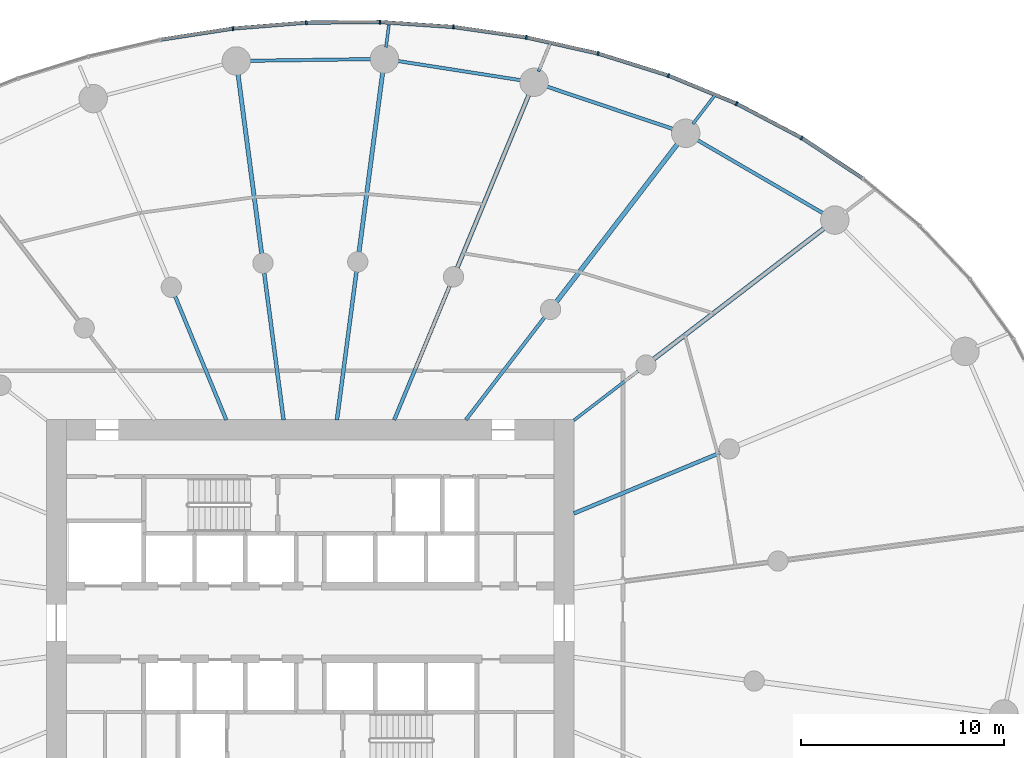
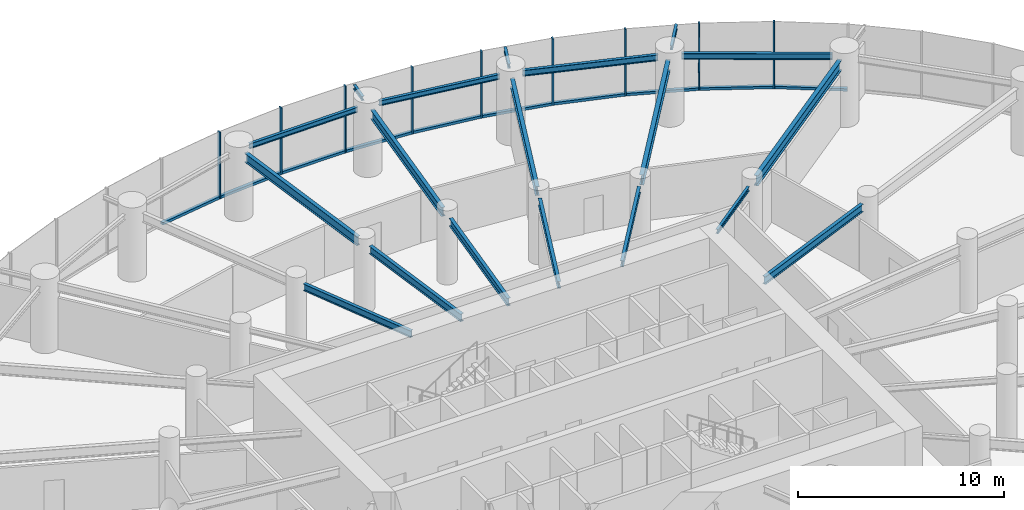
# One storey, part 7 of 17: 19 beams, 19 members, 2 elements without a shape of their own.
"""IFC4 building model written with IfcOpenShell, lengths in metres."""

from ifc_helpers import new_model, si_unit, direction, frame, origin, origin_2d, place, context, subcontext, project, spatial, rectangle, i_section, extrude, source, transform, mapped, material, layer, layer_set, material_profile, profile_set, type_object, element, aggregate, save


model = new_model("IFC4")

# Units and contexts
model_context = context("Model", 3, precision=1e-05, world=origin(), true_north=direction((0.0, 1.0)))
body_context = subcontext(model_context, "Body", "Model", "MODEL_VIEW")
ifc_project = project(units=[si_unit("LENGTHUNIT", "METRE"), si_unit("AREAUNIT", "SQUARE_METRE"), si_unit("VOLUMEUNIT", "CUBIC_METRE"), si_unit("PLANEANGLEUNIT", "RADIAN"), si_unit("MASSUNIT", "GRAM", prefix="KILO")], contexts=[model_context])

# Site, building, storey
site_placement = place(None, origin())
site = spatial("IfcSite", under=ifc_project, at=site_placement, CompositionType="ELEMENT")
building_placement = place(site_placement, origin())
building = spatial("IfcBuilding", under=site, at=building_placement, Name="Spindrift Exchange Tower", CompositionType="ELEMENT")
storey_placement = place(building_placement, frame((0.0, 0.0, 35.800048828125)))
storey = spatial("IfcBuildingStorey", under=building, at=storey_placement, Name="L08", CompositionType="ELEMENT", Elevation=35.800048828125)

# Beams
ifc_material_1 = material(Name="Steel Grade 300", Category="steel")
ifc_material_profile_1 = material_profile(ifc_material_1, i_section(OverallWidth=0.18994140625, OverallDepth=0.45703125, WebThickness=0.009033203125, FlangeThickness=0.014404296875, FilletRadius=0.013916015625, at=origin_2d()), Name="460UB74.6")
ifc_profile_set_1 = profile_set([ifc_material_profile_1], Name="Steel Grade 300")
beam_type_1 = type_object("IfcBeamType", Name="Floor Beam 460UB74.6 Steel Grade 300", PredefinedType="BEAM", material=ifc_profile_set_1)
shared_shape_1 = source(origin(), body_context, "Body", "SweptSolid", [
    extrude(i_section(OverallWidth=0.18994140625, OverallDepth=0.45703125, WebThickness=0.009033203125, FlangeThickness=0.014404296875, FilletRadius=0.013916015625, at=origin_2d()), origin(), (0.0, 0.0, 1.0), 7.808837890625),
])
beam_1_placement = place(storey_placement, frame((64.9814453125, 53.377197265625, 3.721435546875), z_axis=(0.92387965154, 0.382683145003, 0.0), x_axis=(-0.382683145003, 0.92387965154, 0.0)))
element("IfcBeam", 1, at=beam_1_placement, inside=storey, type_object=beam_type_1, Name="L08 radial beam R02A", PredefinedType="BEAM", context=body_context, shape_type="MappedRepresentation", body=[
    mapped(shared_shape_1, transform((0.0, 0.0, 0.0), scale=1.0)),
])
ifc_material_profile_2 = material_profile(ifc_material_1, i_section(OverallWidth=0.14599609375, OverallDepth=0.251953125, WebThickness=0.006103515625, FlangeThickness=0.008544921875, FilletRadius=0.011962890625, at=origin_2d()), Name="250UB31.4")
ifc_profile_set_2 = profile_set([ifc_material_profile_2], Name="Steel Grade 300")
beam_type_2 = type_object("IfcBeamType", Name="Floor Beam 250UB31.4 Steel Grade 300", PredefinedType="BEAM", material=ifc_profile_set_2)
shared_shape_2 = source(origin(), body_context, "Body", "SweptSolid", [
    extrude(i_section(OverallWidth=0.14599609375, OverallDepth=0.251953125, WebThickness=0.006103515625, FlangeThickness=0.008544921875, FilletRadius=0.011962890625, at=origin_2d()), origin(), (0.0, 0.0, 1.0), 3.99560546875),
])
beam_2_placement = place(storey_placement, frame((64.984130859375, 57.963134765625, 3.823974609375), z_axis=(0.793352561574, 0.608762443851, 0.0), x_axis=(-0.608762443851, 0.793352561574, 0.0)))
element("IfcBeam", 2, at=beam_2_placement, inside=storey, type_object=beam_type_2, Name="L08 radial beam R03A", PredefinedType="BEAM", context=body_context, shape_type="MappedRepresentation", body=[
    mapped(shared_shape_2, transform((0.0, 0.0, 0.0), scale=1.0)),
])
ifc_material_profile_3 = material_profile(ifc_material_1, i_section(OverallWidth=0.22802734375, OverallDepth=0.60693359375, WebThickness=0.01123046875, FlangeThickness=0.017333984375, FilletRadius=0.013916015625, at=origin_2d()), Name="610UB113")
ifc_profile_set_3 = profile_set([ifc_material_profile_3], Name="Steel Grade 300")
beam_type_3 = type_object("IfcBeamType", Name="Floor Beam 610UB113 Steel Grade 300", PredefinedType="BEAM", material=ifc_profile_set_3)
shared_shape_3 = source(origin(), body_context, "Body", "SweptSolid", [
    extrude(i_section(OverallWidth=0.22802734375, OverallDepth=0.60693359375, WebThickness=0.01123046875, FlangeThickness=0.017333984375, FilletRadius=0.013916015625, at=origin_2d()), origin(), (0.0, 0.0, 1.0), 10.66357421875),
])
beam_3_placement = place(storey_placement, frame((68.91552734375, 60.979736328125, 3.646484375), z_axis=(0.793357926757, 0.608755451764, 0.0), x_axis=(-0.608755451764, 0.793357926757, 0.0)))
element("IfcBeam", 3, at=beam_3_placement, inside=storey, type_object=beam_type_3, Name="L08 radial beam R03B", PredefinedType="BEAM", context=body_context, shape_type="MappedRepresentation", body=[
    mapped(shared_shape_3, transform((0.0, 0.0, 0.0), scale=1.0)),
])
ifc_material_profile_4 = material_profile(ifc_material_1, i_section(OverallWidth=0.172119140625, OverallDepth=0.35888671875, WebThickness=0.008056640625, FlangeThickness=0.012939453125, FilletRadius=0.013916015625, at=origin_2d()), Name="360UB56.7")
ifc_profile_set_4 = profile_set([ifc_material_profile_4], Name="Steel Grade 300")
beam_type_4 = type_object("IfcBeamType", Name="Floor Beam 360UB56.7 Steel Grade 300", PredefinedType="BEAM", material=ifc_profile_set_4)
shared_shape_4 = source(origin(), body_context, "Body", "SweptSolid", [
    extrude(i_section(OverallWidth=0.172119140625, OverallDepth=0.35888671875, WebThickness=0.008056640625, FlangeThickness=0.012939453125, FilletRadius=0.013916015625, at=origin_2d()), origin(), (0.0, 0.0, 1.0), 6.37646484375),
])
beam_4_placement = place(storey_placement, frame((59.6611328125, 57.984130859375, 3.7705078125), z_axis=(0.608766669952, 0.793349318747, 0.0), x_axis=(-0.793349318747, 0.608766669952, 0.0)))
element("IfcBeam", 4, at=beam_4_placement, inside=storey, type_object=beam_type_4, Name="L08 radial beam R04A", PredefinedType="BEAM", context=body_context, shape_type="MappedRepresentation", body=[
    mapped(shared_shape_4, transform((0.0, 0.0, 0.0), scale=1.0)),
])
shared_shape_5 = source(origin(), body_context, "Body", "SweptSolid", [
    extrude(i_section(OverallWidth=0.22802734375, OverallDepth=0.60693359375, WebThickness=0.01123046875, FlangeThickness=0.017333984375, FilletRadius=0.013916015625, at=origin_2d()), origin(), (0.0, 0.0, 1.0), 9.87548828125),
])
beam_5_placement = place(storey_placement, frame((64.127197265625, 63.8046875, 3.646484375), z_axis=(0.608772470836, 0.793344867477, 0.0), x_axis=(-0.793344867477, 0.608772470836, 0.0)))
element("IfcBeam", 5, at=beam_5_placement, inside=storey, type_object=beam_type_3, Name="L08 radial beam R04B", PredefinedType="BEAM", context=body_context, shape_type="MappedRepresentation", body=[
    mapped(shared_shape_5, transform((0.0, 0.0, 0.0), scale=1.0)),
])
ifc_material_profile_5 = material_profile(ifc_material_1, i_section(OverallWidth=0.177978515625, OverallDepth=0.406005859375, WebThickness=0.0078125, FlangeThickness=0.0126953125, FilletRadius=0.013916015625, at=origin_2d()), Name="410UB59.7")
ifc_profile_set_5 = profile_set([ifc_material_profile_5], Name="Steel Grade 300")
beam_type_5 = type_object("IfcBeamType", Name="Floor Beam 410UB59.7 Steel Grade 300", PredefinedType="BEAM", material=ifc_profile_set_5)
shared_shape_6 = source(origin(), body_context, "Body", "SweptSolid", [
    extrude(i_section(OverallWidth=0.177978515625, OverallDepth=0.406005859375, WebThickness=0.0078125, FlangeThickness=0.0126953125, FilletRadius=0.013916015625, at=origin_2d()), origin(), (0.0, 0.0, 1.0), 7.150634765625),
])
beam_6_placement = place(storey_placement, frame((56.134521484375, 57.9814453125, 3.7470703125), z_axis=(0.382665393358, 0.923887004306, 0.0), x_axis=(-0.923887004306, 0.382665393358, 0.0)))
element("IfcBeam", 6, at=beam_6_placement, inside=storey, type_object=beam_type_5, Name="L08 radial beam R05A", PredefinedType="BEAM", context=body_context, shape_type="MappedRepresentation", body=[
    mapped(shared_shape_6, transform((0.0, 0.0, 0.0), scale=1.0)),
])
ifc_material_profile_6 = material_profile(ifc_material_1, i_section(OverallWidth=0.208984375, OverallDepth=0.532958984375, WebThickness=0.01025390625, FlangeThickness=0.015625, FilletRadius=0.013916015625, at=origin_2d()), Name="530UB92.4")
ifc_profile_set_6 = profile_set([ifc_material_profile_6], Name="Steel Grade 300")
beam_type_6 = type_object("IfcBeamType", Name="Floor Beam 530UB92.4 Steel Grade 300", PredefinedType="BEAM", material=ifc_profile_set_6)
shared_shape_7 = source(origin(), body_context, "Body", "SweptSolid", [
    extrude(i_section(OverallWidth=0.208984375, OverallDepth=0.532958984375, WebThickness=0.01025390625, FlangeThickness=0.015625, FilletRadius=0.013916015625, at=origin_2d()), origin(), (0.0, 0.0, 1.0), 9.309326171875),
])
beam_7_placement = place(storey_placement, frame((59.23828125, 65.474853515625, 3.683349609375), z_axis=(0.382685326691, 0.923878747853, 0.0), x_axis=(-0.923878747853, 0.382685326691, 0.0)))
element("IfcBeam", 7, at=beam_7_placement, inside=storey, type_object=beam_type_6, Name="L08 radial beam R05B", PredefinedType="BEAM", context=body_context, shape_type="MappedRepresentation", body=[
    mapped(shared_shape_7, transform((0.0, 0.0, 0.0), scale=1.0)),
])
shared_shape_8 = source(origin(), body_context, "Body", "SweptSolid", [
    extrude(i_section(OverallWidth=0.18994140625, OverallDepth=0.45703125, WebThickness=0.009033203125, FlangeThickness=0.014404296875, FilletRadius=0.013916015625, at=origin_2d()), origin(), (0.0, 0.0, 1.0), 7.374267578125),
])
beam_8_placement = place(storey_placement, frame((53.31396484375, 57.980224609375, 3.721435546875), z_axis=(0.130539295622, 0.99144313619, 0.0), x_axis=(-0.99144313619, 0.130539295622, 0.0)))
element("IfcBeam", 8, at=beam_8_placement, inside=storey, type_object=beam_type_1, Name="L08 radial beam R06A", PredefinedType="BEAM", context=body_context, shape_type="MappedRepresentation", body=[
    mapped(shared_shape_8, transform((0.0, 0.0, 0.0), scale=1.0)),
])
shared_shape_9 = source(origin(), body_context, "Body", "SweptSolid", [
    extrude(i_section(OverallWidth=0.208984375, OverallDepth=0.532958984375, WebThickness=0.01025390625, FlangeThickness=0.015625, FilletRadius=0.013916015625, at=origin_2d()), origin(), (0.0, 0.0, 1.0), 9.020263671875),
])
beam_9_placement = place(storey_placement, frame((54.40185546875, 66.2431640625, 3.683349609375), z_axis=(0.13051122338, 0.991446831944, 0.0), x_axis=(-0.991446831944, 0.13051122338, 0.0)))
element("IfcBeam", 9, at=beam_9_placement, inside=storey, type_object=beam_type_6, Name="L08 radial beam R06B", PredefinedType="BEAM", context=body_context, shape_type="MappedRepresentation", body=[
    mapped(shared_shape_9, transform((0.0, 0.0, 0.0), scale=1.0)),
])
shared_shape_10 = source(origin(), body_context, "Body", "SweptSolid", [
    extrude(i_section(OverallWidth=0.18994140625, OverallDepth=0.45703125, WebThickness=0.009033203125, FlangeThickness=0.014404296875, FilletRadius=0.013916015625, at=origin_2d()), origin(), (0.0, 0.0, 1.0), 7.3095703125),
])
beam_10_placement = place(storey_placement, frame((50.68603515625, 57.980224609375, 3.721435546875), z_axis=(-0.130527087244, 0.991444743541, 0.0), x_axis=(-0.991444743541, -0.130527087244, 0.0)))
element("IfcBeam", 10, at=beam_10_placement, inside=storey, type_object=beam_type_1, Name="L08 radial beam R07A", PredefinedType="BEAM", context=body_context, shape_type="MappedRepresentation", body=[
    mapped(shared_shape_10, transform((0.0, 0.0, 0.0), scale=1.0)),
])
shared_shape_11 = source(origin(), body_context, "Body", "SweptSolid", [
    extrude(i_section(OverallWidth=0.208984375, OverallDepth=0.532958984375, WebThickness=0.01025390625, FlangeThickness=0.015625, FilletRadius=0.013916015625, at=origin_2d()), origin(), (0.0, 0.0, 1.0), 8.98388671875),
])
beam_11_placement = place(storey_placement, frame((49.606689453125, 66.17919921875, 3.683349609375), z_axis=(-0.130524106785, 0.991445135924, 0.0), x_axis=(-0.991445135924, -0.130524106785, 0.0)))
element("IfcBeam", 11, at=beam_11_placement, inside=storey, type_object=beam_type_6, Name="L08 radial beam R07B", PredefinedType="BEAM", context=body_context, shape_type="MappedRepresentation", body=[
    mapped(shared_shape_11, transform((0.0, 0.0, 0.0), scale=1.0)),
])
shared_shape_12 = source(origin(), body_context, "Body", "SweptSolid", [
    extrude(i_section(OverallWidth=0.177978515625, OverallDepth=0.406005859375, WebThickness=0.0078125, FlangeThickness=0.0126953125, FilletRadius=0.013916015625, at=origin_2d()), origin(), (0.0, 0.0, 1.0), 6.594482421875),
])
beam_12_placement = place(storey_placement, frame((47.865478515625, 57.9814453125, 3.7470703125), z_axis=(-0.382692929746, 0.92387559851, 0.0), x_axis=(-0.92387559851, -0.382692929746, 0.0)))
element("IfcBeam", 12, at=beam_12_placement, inside=storey, type_object=beam_type_5, Name="L08 radial beam R08A", PredefinedType="BEAM", context=body_context, shape_type="MappedRepresentation", body=[
    mapped(shared_shape_12, transform((0.0, 0.0, 0.0), scale=1.0)),
])
ifc_material_profile_7 = material_profile(ifc_material_1, i_section(OverallWidth=0.172119140625, OverallDepth=0.35888671875, WebThickness=0.008056640625, FlangeThickness=0.012939453125, FilletRadius=0.013916015625, at=origin_2d()), Name="360UB56.7")
ifc_profile_set_7 = profile_set([ifc_material_profile_7], Name="Steel Grade 300")
beam_type_7 = type_object("IfcBeamType", Name="Edge Beam 360UB56.7 Steel Grade 300", PredefinedType="SPANDREL", material=ifc_profile_set_7)
shared_shape_13 = source(origin(), body_context, "Body", "SweptSolid", [
    extrude(i_section(OverallWidth=0.172119140625, OverallDepth=0.35888671875, WebThickness=0.008056640625, FlangeThickness=0.012939453125, FilletRadius=0.013916015625, at=origin_2d()), origin(), (0.0, 0.0, 1.0), 7.33740234375),
])
beam_13_placement = place(storey_placement, frame((77.33447265625, 68.1162109375, 3.7705078125), z_axis=(-0.864211826308, 0.503128134047, 0.0), x_axis=(-0.503128134047, -0.864211826308, 0.0)))
element("IfcBeam", 13, at=beam_13_placement, inside=storey, type_object=beam_type_7, Name="L08 edge beam E03", PredefinedType="SPANDREL", context=body_context, shape_type="MappedRepresentation", body=[
    mapped(shared_shape_13, transform((0.0, 0.0, 0.0), scale=1.0)),
])
shared_shape_14 = source(origin(), body_context, "Body", "SweptSolid", [
    extrude(i_section(OverallWidth=0.172119140625, OverallDepth=0.35888671875, WebThickness=0.008056640625, FlangeThickness=0.012939453125, FilletRadius=0.013916015625, at=origin_2d()), origin(), (0.0, 0.0, 1.0), 6.72021484375),
])
beam_14_placement = place(storey_placement, frame((69.9423828125, 72.28466796875, 3.7705078125), z_axis=(-0.947851749681, 0.318711563372, 0.0), x_axis=(-0.318711563372, -0.947851749681, 0.0)))
element("IfcBeam", 14, at=beam_14_placement, inside=storey, type_object=beam_type_7, Name="L08 edge beam E04", PredefinedType="SPANDREL", context=body_context, shape_type="MappedRepresentation", body=[
    mapped(shared_shape_14, transform((0.0, 0.0, 0.0), scale=1.0)),
])
ifc_material_profile_8 = material_profile(ifc_material_1, i_section(OverallWidth=0.1650390625, OverallDepth=0.303955078125, WebThickness=0.006103515625, FlangeThickness=0.01025390625, FilletRadius=0.011474609375, at=origin_2d()), Name="310UB40.4")
ifc_profile_set_8 = profile_set([ifc_material_profile_8], Name="Steel Grade 300")
beam_type_8 = type_object("IfcBeamType", Name="Edge Beam 310UB40.4 Steel Grade 300", PredefinedType="SPANDREL", material=ifc_profile_set_8)
shared_shape_15 = source(origin(), body_context, "Body", "SweptSolid", [
    extrude(i_section(OverallWidth=0.1650390625, OverallDepth=0.303955078125, WebThickness=0.006103515625, FlangeThickness=0.01025390625, FilletRadius=0.011474609375, at=origin_2d()), origin(), (0.0, 0.0, 1.0), 6.297119140625),
])
beam_15_placement = place(storey_placement, frame((62.44970703125, 74.70068359375, 3.7978515625), z_axis=(-0.98802902915, 0.154268070436, 0.0), x_axis=(-0.154268070436, -0.98802902915, 0.0)))
element("IfcBeam", 15, at=beam_15_placement, inside=storey, type_object=beam_type_8, Name="L08 edge beam E05", PredefinedType="SPANDREL", context=body_context, shape_type="MappedRepresentation", body=[
    mapped(shared_shape_15, transform((0.0, 0.0, 0.0), scale=1.0)),
])
shared_shape_16 = source(origin(), body_context, "Body", "SweptSolid", [
    extrude(i_section(OverallWidth=0.1650390625, OverallDepth=0.303955078125, WebThickness=0.006103515625, FlangeThickness=0.01025390625, FilletRadius=0.011474609375, at=origin_2d()), origin(), (0.0, 0.0, 1.0), 6.13720703125),
])
beam_16_placement = place(storey_placement, frame((55.074951171875, 75.75341796875, 3.7978515625), z_axis=(-0.999905820907, -0.013724041543, 0.0), x_axis=(0.013724041543, -0.999905820907, 0.0)))
element("IfcBeam", 16, at=beam_16_placement, inside=storey, type_object=beam_type_8, Name="L08 edge beam E06", PredefinedType="SPANDREL", context=body_context, shape_type="MappedRepresentation", body=[
    mapped(shared_shape_16, transform((0.0, 0.0, 0.0), scale=1.0)),
])
ifc_material_profile_9 = material_profile(ifc_material_1, i_section(OverallWidth=0.14599609375, OverallDepth=0.251953125, WebThickness=0.006103515625, FlangeThickness=0.008544921875, FilletRadius=0.011962890625, at=origin_2d()), Name="250UB31.4")
ifc_profile_set_9 = profile_set([ifc_material_profile_9], Name="Steel Grade 300")
beam_type_9 = type_object("IfcBeamType", Name="Cantilever Beam 250UB31.4 Steel Grade 300", PredefinedType="BEAM", material=ifc_profile_set_9)
shared_shape_17 = source(origin(), body_context, "Body", "SweptSolid", [
    extrude(i_section(OverallWidth=0.14599609375, OverallDepth=0.251953125, WebThickness=0.006103515625, FlangeThickness=0.008544921875, FilletRadius=0.011962890625, at=origin_2d()), origin(), (0.0, 0.0, 1.0), 1.88427734375),
])
beam_17_placement = place(storey_placement, frame((70.845458984375, 72.559814453125, 3.823974609375), z_axis=(0.608733443446, 0.793374813585, 0.0), x_axis=(-0.793374813585, 0.608733443446, 0.0)))
element("IfcBeam", 17, at=beam_17_placement, inside=storey, type_object=beam_type_9, Name="L08 cantilever beam R04T", PredefinedType="BEAM", context=body_context, shape_type="MappedRepresentation", body=[
    mapped(shared_shape_17, transform((0.0, 0.0, 0.0), scale=1.0)),
])
shared_shape_18 = source(origin(), body_context, "Body", "SweptSolid", [
    extrude(i_section(OverallWidth=0.14599609375, OverallDepth=0.251953125, WebThickness=0.006103515625, FlangeThickness=0.008544921875, FilletRadius=0.011962890625, at=origin_2d()), origin(), (0.0, 0.0, 1.0), 1.519775390625),
])
beam_18_placement = place(storey_placement, frame((63.244873046875, 75.147216796875, 3.823974609375), z_axis=(0.382663933945, 0.92388760878, 0.0), x_axis=(-0.92388760878, 0.382663933945, 0.0)))
element("IfcBeam", 18, at=beam_18_placement, inside=storey, type_object=beam_type_9, Name="L08 cantilever beam R05T", PredefinedType="BEAM", context=body_context, shape_type="MappedRepresentation", body=[
    mapped(shared_shape_18, transform((0.0, 0.0, 0.0), scale=1.0)),
])
shared_shape_19 = source(origin(), body_context, "Body", "SweptSolid", [
    extrude(i_section(OverallWidth=0.14599609375, OverallDepth=0.251953125, WebThickness=0.006103515625, FlangeThickness=0.008544921875, FilletRadius=0.011962890625, at=origin_2d()), origin(), (0.0, 0.0, 1.0), 1.10205078125),
])
beam_19_placement = place(storey_placement, frame((55.730712890625, 76.33642578125, 3.823974609375), z_axis=(0.130494630272, 0.991449016072, 0.0), x_axis=(-0.991449016072, 0.130494630272, 0.0)))
element("IfcBeam", 19, at=beam_19_placement, inside=storey, type_object=beam_type_9, Name="L08 cantilever beam R06T", PredefinedType="BEAM", context=body_context, shape_type="MappedRepresentation", body=[
    mapped(shared_shape_19, transform((0.0, 0.0, 0.0), scale=1.0)),
])

# Curtain wall, members
ifc_material_2 = material(Name="Fritted laminated glass with bronze frame", Category="glass")
ifc_layer = layer(ifc_material_2, 0.199951171875)
ifc_layer_set = layer_set([ifc_layer], Name="ZONE 1 BRONZE FRITTED WALL")
curtain_wall_type = type_object("IfcCurtainWallType", Name="ZONE 1 BRONZE FRITTED WALL", PredefinedType="NOTDEFINED", material=ifc_layer_set)
curtain_wall_1_placement = place(storey_placement, origin())
curtain_wall_1 = element("IfcCurtainWall", 20, at=curtain_wall_1_placement, inside=storey, type_object=curtain_wall_type, Name="L08 Zone 1 Bronze Fritted Wall run 2", PredefinedType="NOTDEFINED")
ifc_material_3 = material(Name="Bronze anodised aluminium", Category="aluminium")
ifc_material_profile_10 = material_profile(ifc_material_3, rectangle(XDim=0.080078125, YDim=0.199951171875, at=origin_2d()), Name="ZONE 1 BRONZE FRITTED WALL MULLION 80X200")
ifc_profile_set_10 = profile_set([ifc_material_profile_10], Name="Bronze anodised aluminium")
member_type_1 = type_object("IfcMemberType", Name="ZONE 1 BRONZE FRITTED WALL MULLION 80X200", PredefinedType="MULLION", material=ifc_profile_set_10)
shared_shape_20 = source(origin(), body_context, "Body", "SweptSolid", [
    extrude(rectangle(XDim=0.080078125, YDim=0.199951171875, at=origin_2d()), origin(), (0.0, 0.0, 1.0), 3.949951171875),
])
member_1_placement = place(storey_placement, frame((76.203857421875, 71.871826171875, 0.0), z_axis=(0.0, 0.0, 1.0), x_axis=(-0.860505602688, 0.50944097572, 0.0)))
member_1 = element("IfcMember", 21, at=member_1_placement, type_object=member_type_1, Name="L08 mullion CW-1.8", PredefinedType="MULLION", context=body_context, shape_type="MappedRepresentation", body=[
    mapped(shared_shape_20, transform((0.0, 0.0, 0.0), scale=1.0)),
])
member_2_placement = place(storey_placement, frame((72.993896484375, 73.56005859375, 0.0), z_axis=(0.0, 0.0, 1.0), x_axis=(-0.905805423945, 0.423693915405, 0.0)))
member_2 = element("IfcMember", 22, at=member_2_placement, type_object=member_type_1, Name="L08 mullion CW-1.9", PredefinedType="MULLION", context=body_context, shape_type="MappedRepresentation", body=[
    mapped(shared_shape_20, transform((0.0, 0.0, 0.0), scale=1.0)),
])
member_3_placement = place(storey_placement, frame((69.640625, 74.94189453125, 0.0), z_axis=(0.0, 0.0, 1.0), x_axis=(-0.940322412902, 0.340284821576, 0.0)))
member_3 = element("IfcMember", 23, at=member_3_placement, type_object=member_type_1, Name="L08 mullion CW-1.10", PredefinedType="MULLION", context=body_context, shape_type="MappedRepresentation", body=[
    mapped(shared_shape_20, transform((0.0, 0.0, 0.0), scale=1.0)),
])
member_4_placement = place(storey_placement, frame((66.17919921875, 76.026123046875, 0.0), z_axis=(0.0, 0.0, 1.0), x_axis=(-0.965780641438, 0.259360275726, 0.0)))
member_4 = element("IfcMember", 24, at=member_4_placement, type_object=member_type_1, Name="L08 mullion CW-1.11", PredefinedType="MULLION", context=body_context, shape_type="MappedRepresentation", body=[
    mapped(shared_shape_20, transform((0.0, 0.0, 0.0), scale=1.0)),
])
member_5_placement = place(storey_placement, frame((62.640380859375, 76.82177734375, 0.0), z_axis=(0.0, 0.0, 1.0), x_axis=(-0.983520079488, 0.180798930427, 0.0)))
member_5 = element("IfcMember", 25, at=member_5_placement, type_object=member_type_1, Name="L08 mullion CW-1.12", PredefinedType="MULLION", context=body_context, shape_type="MappedRepresentation", body=[
    mapped(shared_shape_20, transform((0.0, 0.0, 0.0), scale=1.0)),
])

curtain_wall_2_placement = place(storey_placement, origin())
curtain_wall_2 = element("IfcCurtainWall", 26, at=curtain_wall_2_placement, inside=storey, type_object=curtain_wall_type, Name="L08 Zone 1 Bronze Fritted Wall run 3", PredefinedType="NOTDEFINED")
member_6_placement = place(storey_placement, frame((59.0498046875, 77.3369140625, 0.0), z_axis=(0.0, 0.0, 1.0), x_axis=(-0.994546130586, 0.104297622869, 0.0)))
member_6 = element("IfcMember", 27, at=member_6_placement, type_object=member_type_1, Name="L08 mullion CW-1.13", PredefinedType="MULLION", context=body_context, shape_type="MappedRepresentation", body=[
    mapped(shared_shape_20, transform((0.0, 0.0, 0.0), scale=1.0)),
])
member_7_placement = place(storey_placement, frame((55.430419921875, 77.577880859375, 0.0), z_axis=(0.0, 0.0, 1.0), x_axis=(-0.999565450106, 0.029477295573, 0.0)))
member_7 = element("IfcMember", 28, at=member_7_placement, type_object=member_type_1, Name="L08 mullion CW-1.14", PredefinedType="MULLION", context=body_context, shape_type="MappedRepresentation", body=[
    mapped(shared_shape_20, transform((0.0, 0.0, 0.0), scale=1.0)),
])
member_8_placement = place(storey_placement, frame((51.80322265625, 77.550537109375, 0.0), z_axis=(0.0, 0.0, 1.0), x_axis=(-0.999028470863, -0.04406942711, 0.0)))
member_8 = element("IfcMember", 29, at=member_8_placement, type_object=member_type_1, Name="L08 mullion CW-1.15", PredefinedType="MULLION", context=body_context, shape_type="MappedRepresentation", body=[
    mapped(shared_shape_20, transform((0.0, 0.0, 0.0), scale=1.0)),
])
member_9_placement = place(storey_placement, frame((48.1875, 77.25830078125, 0.0), z_axis=(0.0, 0.0, 1.0), x_axis=(-0.993157138536, -0.116785693368, 0.0)))
member_9 = element("IfcMember", 30, at=member_9_placement, type_object=member_type_1, Name="L08 mullion CW-1.16", PredefinedType="MULLION", context=body_context, shape_type="MappedRepresentation", body=[
    mapped(shared_shape_20, transform((0.0, 0.0, 0.0), scale=1.0)),
])

# Member
ifc_material_profile_11 = material_profile(ifc_material_3, rectangle(XDim=0.179931640625, YDim=0.14990234375, at=origin_2d()), Name="ZONE 1 BRONZE FRITTED WALL TRANSOM 180X150")
ifc_profile_set_11 = profile_set([ifc_material_profile_11], Name="Bronze anodised aluminium")
member_type_2 = type_object("IfcMemberType", Name="ZONE 1 BRONZE FRITTED WALL TRANSOM 180X150", PredefinedType="USERDEFINED", material=ifc_profile_set_11)
shared_shape_21 = source(origin(), body_context, "Body", "SweptSolid", [
    extrude(rectangle(XDim=0.179931640625, YDim=0.14990234375, at=origin_2d()), origin(), (0.0, 0.0, 1.0), 3.546875),
])
member_10_placement = place(storey_placement, frame((76.16845703125, 71.890625, 0.074951171875), z_axis=(-0.885070476393, 0.465457035415, 0.0), x_axis=(-0.465457035415, -0.885070476393, 0.0)))
member_10 = element("IfcMember", 31, at=member_10_placement, type_object=member_type_2, Name="L08 transom CW-1.8", ObjectType="TRANSOM", PredefinedType="USERDEFINED", context=body_context, shape_type="MappedRepresentation", body=[
    mapped(shared_shape_21, transform((0.0, 0.0, 0.0), scale=1.0)),
])

shared_shape_22 = source(origin(), body_context, "Body", "SweptSolid", [
    extrude(rectangle(XDim=0.179931640625, YDim=0.14990234375, at=origin_2d()), origin(), (0.0, 0.0, 1.0), 3.54736328125),
])
member_11_placement = place(storey_placement, frame((66.140380859375, 76.034912109375, 0.074951171875), z_axis=(-0.975648063182, 0.219341871992, 0.0), x_axis=(-0.219341871992, -0.975648063182, 0.0)))
member_11 = element("IfcMember", 32, at=member_11_placement, type_object=member_type_2, Name="L08 transom CW-1.11", ObjectType="TRANSOM", PredefinedType="USERDEFINED", context=body_context, shape_type="MappedRepresentation", body=[
    mapped(shared_shape_22, transform((0.0, 0.0, 0.0), scale=1.0)),
])

member_12_placement = place(storey_placement, frame((62.600830078125, 76.827392578125, 0.074951171875), z_axis=(-0.989869502191, 0.141980169855, 0.0), x_axis=(-0.141980169855, -0.989869502191, 0.0)))
member_12 = element("IfcMember", 33, at=member_12_placement, type_object=member_type_2, Name="L08 transom CW-1.12", ObjectType="TRANSOM", PredefinedType="USERDEFINED", context=body_context, shape_type="MappedRepresentation", body=[
    mapped(shared_shape_22, transform((0.0, 0.0, 0.0), scale=1.0)),
])

member_13_placement = place(storey_placement, frame((59.010009765625, 77.33935546875, 0.074951171875), z_axis=(-0.99778759338, 0.066482467596, 0.0), x_axis=(-0.066482467596, -0.99778759338, 0.0)))
member_13 = element("IfcMember", 34, at=member_13_placement, type_object=member_type_2, Name="L08 transom CW-1.13", ObjectType="TRANSOM", PredefinedType="USERDEFINED", context=body_context, shape_type="MappedRepresentation", body=[
    mapped(shared_shape_22, transform((0.0, 0.0, 0.0), scale=1.0)),
])

member_14_placement = place(storey_placement, frame((51.763427734375, 77.54736328125, 0.074951171875), z_axis=(-0.996752827899, -0.080522047134, 0.0), x_axis=(0.080522047134, -0.996752827899, 0.0)))
member_14 = element("IfcMember", 35, at=member_14_placement, type_object=member_type_2, Name="L08 transom CW-1.15", ObjectType="TRANSOM", PredefinedType="USERDEFINED", context=body_context, shape_type="MappedRepresentation", body=[
    mapped(shared_shape_22, transform((0.0, 0.0, 0.0), scale=1.0)),
])

member_15_placement = place(storey_placement, frame((48.14794921875, 77.252197265625, 0.074951171875), z_axis=(-0.988248045799, -0.152858758251, 0.0), x_axis=(0.152858758251, -0.988248045799, 0.0)))
member_15 = element("IfcMember", 36, at=member_15_placement, type_object=member_type_2, Name="L08 transom CW-1.16", ObjectType="TRANSOM", PredefinedType="USERDEFINED", context=body_context, shape_type="MappedRepresentation", body=[
    mapped(shared_shape_22, transform((0.0, 0.0, 0.0), scale=1.0)),
])

shared_shape_23 = source(origin(), body_context, "Body", "SweptSolid", [
    extrude(rectangle(XDim=0.179931640625, YDim=0.14990234375, at=origin_2d()), origin(), (0.0, 0.0, 1.0), 3.547119140625),
])
member_16_placement = place(storey_placement, frame((72.95703125, 73.575439453125, 0.074951171875), z_axis=(-0.924586842282, 0.380971352046, 0.0), x_axis=(-0.380971352046, -0.924586842282, 0.0)))
member_16 = element("IfcMember", 37, at=member_16_placement, type_object=member_type_2, Name="L08 transom CW-1.9", ObjectType="TRANSOM", PredefinedType="USERDEFINED", context=body_context, shape_type="MappedRepresentation", body=[
    mapped(shared_shape_23, transform((0.0, 0.0, 0.0), scale=1.0)),
])

member_17_placement = place(storey_placement, frame((69.6025390625, 74.953857421875, 0.074951171875), z_axis=(-0.954280142785, 0.298913715118, 0.0), x_axis=(-0.298913715118, -0.954280142785, 0.0)))
member_17 = element("IfcMember", 38, at=member_17_placement, type_object=member_type_2, Name="L08 transom CW-1.10", ObjectType="TRANSOM", PredefinedType="USERDEFINED", context=body_context, shape_type="MappedRepresentation", body=[
    mapped(shared_shape_23, transform((0.0, 0.0, 0.0), scale=1.0)),
])

member_18_placement = place(storey_placement, frame((55.390380859375, 77.57763671875, 0.074951171875), z_axis=(-0.999971340721, -0.007570847786, 0.0), x_axis=(0.007570847786, -0.999971340721, 0.0)))
member_18 = element("IfcMember", 39, at=member_18_placement, type_object=member_type_2, Name="L08 transom CW-1.14", ObjectType="TRANSOM", PredefinedType="USERDEFINED", context=body_context, shape_type="MappedRepresentation", body=[
    mapped(shared_shape_23, transform((0.0, 0.0, 0.0), scale=1.0)),
])

aggregate(curtain_wall_2, [member_6, member_13, member_7, member_18, member_8, member_14, member_9, member_15])

shared_shape_24 = source(origin(), body_context, "Body", "SweptSolid", [
    extrude(rectangle(XDim=0.179931640625, YDim=0.14990234375, at=origin_2d()), origin(), (0.0, 0.0, 1.0), 3.546630859375),
])
member_19_placement = place(storey_placement, frame((79.1943359375, 69.8916015625, 0.074951171875), z_axis=(-0.833751398375, 0.552140023643, 0.0), x_axis=(-0.552140023643, -0.833751398375, 0.0)))
member_19 = element("IfcMember", 40, at=member_19_placement, type_object=member_type_2, Name="L08 transom CW-1.7", ObjectType="TRANSOM", PredefinedType="USERDEFINED", context=body_context, shape_type="MappedRepresentation", body=[
    mapped(shared_shape_24, transform((0.0, 0.0, 0.0), scale=1.0)),
])

aggregate(curtain_wall_1, [member_19, member_1, member_10, member_2, member_16, member_3, member_17, member_4, member_11, member_5, member_12])

save(model, "model.ifc")
